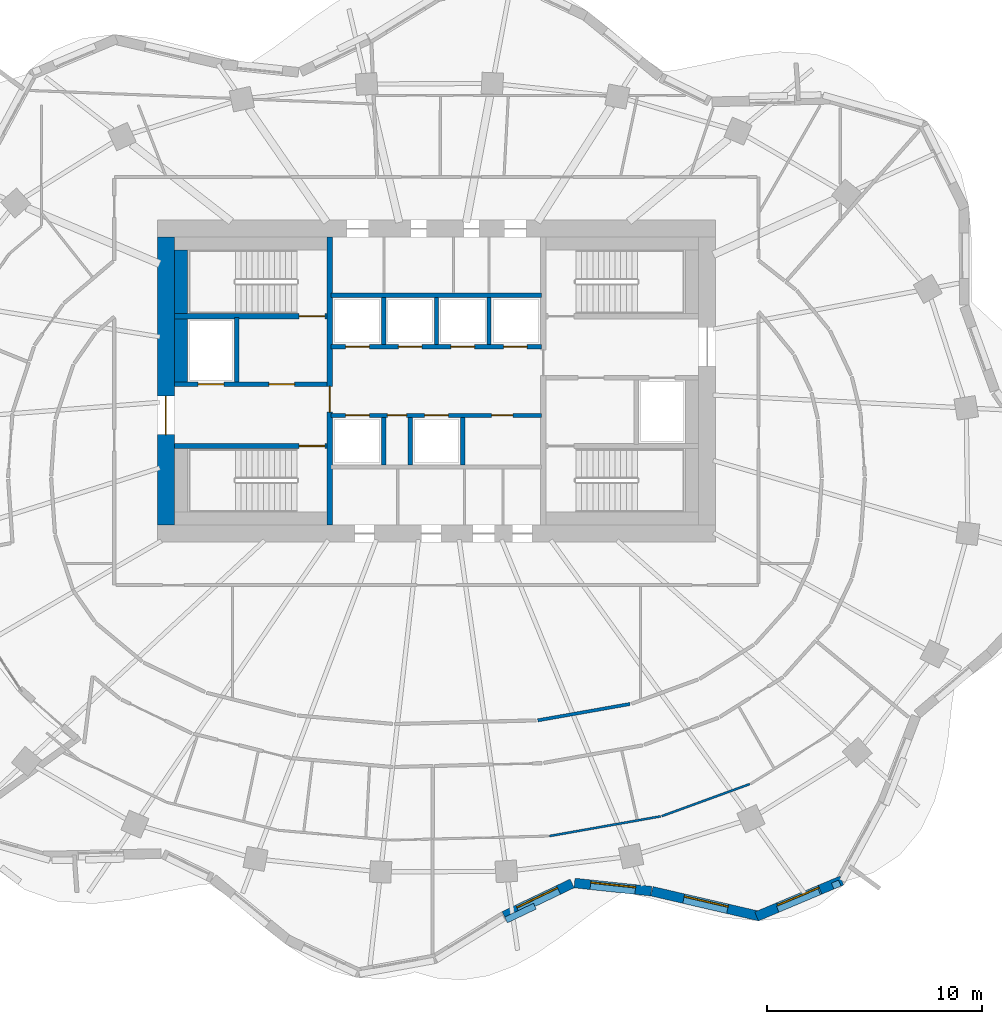
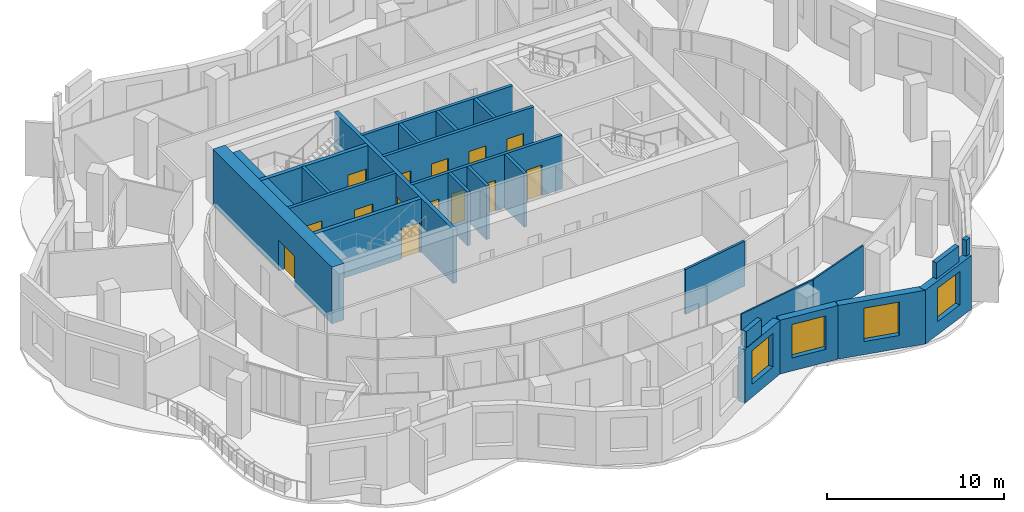
# One storey, part 7 of 13: 27 walls, 14 doors, 4 windows, 18 openings.
"""IFC4 building model written with IfcOpenShell, lengths in metres."""

from ifc_helpers import new_model, si_unit, direction, frame, frame_2d, origin, place, context, subcontext, project, spatial, rectangle, extrude, material, layer, layer_set, type_object, element, fill, save


model = new_model("IFC4")

# Units and contexts
model_context = context("Model", 3, precision=1e-05, world=origin(), true_north=direction((0.0, 1.0)))
body_context = subcontext(model_context, "Body", "Model", "MODEL_VIEW")
ifc_project = project(units=[si_unit("LENGTHUNIT", "METRE"), si_unit("AREAUNIT", "SQUARE_METRE"), si_unit("VOLUMEUNIT", "CUBIC_METRE"), si_unit("PLANEANGLEUNIT", "RADIAN"), si_unit("MASSUNIT", "GRAM", prefix="KILO")], contexts=[model_context])

# Site, building, storey
site_placement = place(None, origin())
site = spatial("IfcSite", under=ifc_project, at=site_placement, CompositionType="ELEMENT")
building_placement = place(site_placement, origin())
building = spatial("IfcBuilding", under=site, at=building_placement, Name="Rubra Terraces Tower", CompositionType="ELEMENT")
storey_placement = place(building_placement, frame((0.0, 0.0, 233.10009765625)))
storey = spatial("IfcBuildingStorey", under=building, at=storey_placement, Name="L57", CompositionType="ELEMENT", Elevation=233.10009765625)

# Wall, opening, window
ifc_material_1 = material(Name="Brick masonry red-brown", Category="masonry")
ifc_layer_1 = layer(ifc_material_1, 0.449951171875)
ifc_layer_set_1 = layer_set([ifc_layer_1], Name="Brick masonry red-brown")
wall_type_1 = type_object("IfcWallType", Name="Brick facade wall 450", PredefinedType="SOLIDWALL", material=ifc_layer_set_1)
wall_1_placement = place(storey_placement, frame((3.153564453125, -20.406005859375, 0.0), z_axis=(0.0, 0.0, 1.0), x_axis=(0.902333313, 0.431038968367, 0.0)))
wall_1 = element("IfcWall", 1, at=wall_1_placement, inside=storey, type_object=wall_type_1, Name="Facade wall L57 bay 32", PredefinedType="SOLIDWALL", context=body_context, shape_type="SweptSolid", body=[
    extrude(rectangle(XDim=3.50537109375, YDim=0.449951171875, at=frame_2d((1.752685546875, 0.0))), origin(), (0.0, 0.0, 1.0), 3.699951171875),
])
opening_1_placement = place(wall_1_placement, frame((0.702880859375, 0.0, 0.89990234375)))
opening_1 = element("IfcOpeningElement", 2, at=opening_1_placement, cuts=wall_1, Name="Opening W1B", PredefinedType="OPENING", context=body_context, shape_type="SweptSolid", body=[
    extrude(rectangle(XDim=2.10009765625, YDim=2.300048828125, at=frame_2d((1.050048828125, 1.14990234375))), frame((0.0, 0.23486328125, 0.0), z_axis=(0.0, -1.0, 0.0), x_axis=(1.0, 0.0, 0.0)), (0.0, 0.0, 1.0), 0.469970703125),
])
ifc_material_2 = material(Name="Clear glass in aluminium frame", Category="aluminium")
window_type = type_object("IfcWindowType", Name="Fixed deep-set window tall storey 2100 x 2300", PartitioningType="SINGLE_PANEL", PredefinedType="WINDOW", material=ifc_material_2)
window_1_placement = place(opening_1_placement, origin())
window_1 = element("IfcWindow", 3, at=window_1_placement, inside=storey, type_object=window_type, Name="Window L57 bay 32", OverallHeight=2.300048828125, OverallWidth=2.10009765625, PartitioningType="SINGLE_PANEL", PredefinedType="WINDOW", context=body_context, shape_type="SweptSolid", body=[
    extrude(rectangle(XDim=2.10009765625, YDim=2.300048828125, at=frame_2d((1.050048828125, 1.14990234375))), frame((0.0, 0.135009765625, 0.0), z_axis=(0.0, -1.0, 0.0), x_axis=(1.0, 0.0, 0.0)), (0.0, 0.0, 1.0), 0.06005859375),
])
fill(opening_1, window_1)

wall_2_placement = place(storey_placement, frame((6.4267578125, -18.875244140625, 0.0), z_axis=(0.0, 0.0, 1.0), x_axis=(0.994433468803, -0.10536638992, 0.0)))
wall_2 = element("IfcWall", 4, at=wall_2_placement, inside=storey, type_object=wall_type_1, Name="Facade wall L57 bay 33", PredefinedType="SOLIDWALL", context=body_context, shape_type="SweptSolid", body=[
    extrude(rectangle(XDim=3.598388671875, YDim=0.449951171875, at=frame_2d((1.79931640625, 0.0))), origin(), (0.0, 0.0, 1.0), 3.699951171875),
])
opening_2_placement = place(wall_2_placement, frame((0.749267578125, 0.0, 0.89990234375)))
opening_2 = element("IfcOpeningElement", 5, at=opening_2_placement, cuts=wall_2, Name="Opening W1B", PredefinedType="OPENING", context=body_context, shape_type="SweptSolid", body=[
    extrude(rectangle(XDim=2.10009765625, YDim=2.300048828125, at=frame_2d((1.050048828125, 1.14990234375))), frame((0.0, 0.23486328125, 0.0), z_axis=(0.0, -1.0, 0.0), x_axis=(1.0, 0.0, 0.0)), (0.0, 0.0, 1.0), 0.469970703125),
])
window_2_placement = place(opening_2_placement, origin())
window_2 = element("IfcWindow", 6, at=window_2_placement, inside=storey, type_object=window_type, Name="Window L57 bay 33", OverallHeight=2.300048828125, OverallWidth=2.10009765625, PartitioningType="SINGLE_PANEL", PredefinedType="WINDOW", context=body_context, shape_type="SweptSolid", body=[
    extrude(rectangle(XDim=2.10009765625, YDim=2.300048828125, at=frame_2d((1.050048828125, 1.14990234375))), frame((0.0, 0.135009765625, 0.0), z_axis=(0.0, -1.0, 0.0), x_axis=(1.0, 0.0, 0.0)), (0.0, 0.0, 1.0), 0.06005859375),
])
fill(opening_2, window_2)

wall_3_placement = place(storey_placement, frame((10.0341796875, -19.258544921875, 0.0), z_axis=(0.0, 0.0, 1.0), x_axis=(0.974223567844, -0.225584662283, 0.0)))
wall_3 = element("IfcWall", 7, at=wall_3_placement, inside=storey, type_object=wall_type_1, Name="Facade wall L57 bay 34", PredefinedType="SOLIDWALL", context=body_context, shape_type="SweptSolid", body=[
    extrude(rectangle(XDim=5.138671875, YDim=0.449951171875, at=frame_2d((2.5693359375, 0.0))), origin(), (0.0, 0.0, 1.0), 3.699951171875),
])
opening_3_placement = place(wall_3_placement, frame((1.51904296875, 0.0, 0.89990234375)))
opening_3 = element("IfcOpeningElement", 8, at=opening_3_placement, cuts=wall_3, Name="Opening W1B", PredefinedType="OPENING", context=body_context, shape_type="SweptSolid", body=[
    extrude(rectangle(XDim=2.10009765625, YDim=2.300048828125, at=frame_2d((1.050048828125, 1.14990234375))), frame((0.0, 0.23486328125, 0.0), z_axis=(0.0, -1.0, 0.0), x_axis=(1.0, 0.0, 0.0)), (0.0, 0.0, 1.0), 0.469970703125),
])
window_3_placement = place(opening_3_placement, origin())
window_3 = element("IfcWindow", 9, at=window_3_placement, inside=storey, type_object=window_type, Name="Window L57 bay 34", OverallHeight=2.300048828125, OverallWidth=2.10009765625, PartitioningType="SINGLE_PANEL", PredefinedType="WINDOW", context=body_context, shape_type="SweptSolid", body=[
    extrude(rectangle(XDim=2.10009765625, YDim=2.300048828125, at=frame_2d((1.050048828125, 1.14990234375))), frame((0.0, 0.135009765625, 0.0), z_axis=(0.0, -1.0, 0.0), x_axis=(1.0, 0.0, 0.0)), (0.0, 0.0, 1.0), 0.06005859375),
])
fill(opening_3, window_3)

wall_4_placement = place(storey_placement, frame((14.906494140625, -20.4306640625, 0.0), z_axis=(0.0, 0.0, 1.0), x_axis=(0.921435803521, 0.388530642279, 0.0)))
wall_4 = element("IfcWall", 10, at=wall_4_placement, inside=storey, type_object=wall_type_1, Name="Facade wall L57 bay 35", PredefinedType="SOLIDWALL", context=body_context, shape_type="SweptSolid", body=[
    extrude(rectangle(XDim=4.308837890625, YDim=0.449951171875, at=frame_2d((2.154296875, 0.0))), origin(), (0.0, 0.0, 1.0), 3.699951171875),
])
opening_4_placement = place(wall_4_placement, frame((1.104248046875, 0.0, 0.89990234375)))
opening_4 = element("IfcOpeningElement", 11, at=opening_4_placement, cuts=wall_4, Name="Opening W1B", PredefinedType="OPENING", context=body_context, shape_type="SweptSolid", body=[
    extrude(rectangle(XDim=2.10009765625, YDim=2.300048828125, at=frame_2d((1.050048828125, 1.14990234375))), frame((0.0, 0.23486328125, 0.0), z_axis=(0.0, -1.0, 0.0), x_axis=(1.0, 0.0, 0.0)), (0.0, 0.0, 1.0), 0.469970703125),
])
window_4_placement = place(opening_4_placement, origin())
window_4 = element("IfcWindow", 12, at=window_4_placement, inside=storey, type_object=window_type, Name="Window L57 bay 35", OverallHeight=2.300048828125, OverallWidth=2.10009765625, PartitioningType="SINGLE_PANEL", PredefinedType="WINDOW", context=body_context, shape_type="SweptSolid", body=[
    extrude(rectangle(XDim=2.10009765625, YDim=2.300048828125, at=frame_2d((1.050048828125, 1.14990234375))), frame((0.0, 0.135009765625, 0.0), z_axis=(0.0, -1.0, 0.0), x_axis=(1.0, 0.0, 0.0)), (0.0, 0.0, 1.0), 0.06005859375),
])
fill(opening_4, window_4)

# Walls
ifc_layer_2 = layer(ifc_material_1, 0.300048828125)
ifc_layer_set_2 = layer_set([ifc_layer_2], Name="Brick masonry red-brown")
wall_type_2 = type_object("IfcWallType", Name="Brick parapet 300", PredefinedType="PARAPET", material=ifc_layer_set_2)
wall_5_placement = place(storey_placement, frame((3.2392578125, -20.594482421875, 3.89990234375), z_axis=(0.0, 0.0, 1.0), x_axis=(0.902344893923, 0.431014724123, 0.0)))
element("IfcWall", 13, at=wall_5_placement, inside=storey, type_object=wall_type_2, Name="Parapet L57 bay 32", PredefinedType="PARAPET", context=body_context, shape_type="SweptSolid", body=[
    extrude(rectangle(XDim=1.48974609375, YDim=0.300048828125, at=frame_2d((0.744873046875, 0.0))), origin(), (0.0, 0.0, 1.0), 1.10009765625),
])
wall_6_placement = place(storey_placement, frame((15.890869140625, -20.096923828125, 3.89990234375), z_axis=(0.0, 0.0, 1.0), x_axis=(0.921468908678, 0.388452121038, 0.0)))
element("IfcWall", 14, at=wall_6_placement, inside=storey, type_object=wall_type_2, Name="Parapet L57 bay 35", PredefinedType="PARAPET", context=body_context, shape_type="SweptSolid", body=[
    extrude(rectangle(XDim=2.09912109375, YDim=0.300048828125, at=frame_2d((1.049560546875, 0.0))), origin(), (0.0, 0.0, 1.0), 1.10009765625),
])
wall_7_placement = place(storey_placement, frame((18.4462890625, -19.01953125, 3.89990234375), z_axis=(0.0, 0.0, 1.0), x_axis=(0.921356634102, 0.388718346358, 0.0)))
element("IfcWall", 15, at=wall_7_placement, inside=storey, type_object=wall_type_2, Name="Parapet L57 bay 35.2", PredefinedType="PARAPET", context=body_context, shape_type="SweptSolid", body=[
    extrude(rectangle(XDim=0.363037109375, YDim=0.300048828125, at=frame_2d((0.181640625, 0.0))), origin(), (0.0, 0.0, 1.0), 1.10009765625),
])

# Wall, opening, door
ifc_material_3 = material(Name="Concrete C50", Category="concrete")
ifc_layer_3 = layer(ifc_material_3, 0.800048828125)
ifc_layer_set_3 = layer_set([ifc_layer_3], Name="Concrete C50")
wall_type_3 = type_object("IfcWallType", Name="CORE WALL 800 C50", PredefinedType="SHEAR", material=ifc_layer_set_3)
wall_8_placement = place(storey_placement, frame((-12.60009765625, -2.199951171875, 0.0), z_axis=(0.0, 0.0, 1.0), x_axis=(0.0, 1.0, 0.0)))
wall_8 = element("IfcWall", 16, at=wall_8_placement, inside=storey, type_object=wall_type_3, Name="CORE WALL W L57", PredefinedType="SHEAR", context=body_context, shape_type="SweptSolid", body=[
    extrude(rectangle(XDim=13.39990234375, YDim=0.800048828125, at=frame_2d((6.699951171875, 0.0))), origin(), (0.0, 0.0, 1.0), 3.89990234375),
])
opening_5_placement = place(wall_8_placement, frame((4.199951171875, 0.0, 0.0)))
opening_5 = element("IfcOpeningElement", 17, at=opening_5_placement, cuts=wall_8, Name="Opening L57.C01", PredefinedType="OPENING", context=body_context, shape_type="SweptSolid", body=[
    extrude(rectangle(XDim=1.800048828125, YDim=2.10009765625, at=frame_2d((0.89990234375, 1.050048828125))), frame((0.0, 0.409912109375, 0.0), z_axis=(0.0, -1.0, 0.0), x_axis=(1.0, 0.0, 0.0)), (0.0, 0.0, 1.0), 0.820068359375),
])
ifc_material_4 = material(Name="Painted steel", Category="steel")
door_type_1 = type_object("IfcDoorType", Name="Fire door 1800x2100 double", OperationType="NOTDEFINED", PredefinedType="DOOR", material=ifc_material_4)
door_1_placement = place(opening_5_placement, origin())
door_1 = element("IfcDoor", 18, at=door_1_placement, inside=storey, type_object=door_type_1, Name="Core entrance door FF1", OperationType="DOUBLE_DOOR_SINGLE_SWING", OverallHeight=2.10009765625, OverallWidth=1.800048828125, PredefinedType="DOOR", context=body_context, shape_type="SweptSolid", body=[
    extrude(rectangle(XDim=1.800048828125, YDim=2.10009765625, at=frame_2d((0.89990234375, 1.050048828125))), frame((0.0, 0.02490234375, 0.0), z_axis=(0.0, -1.0, 0.0), x_axis=(1.0, 0.0, 0.0)), (0.0, 0.0, 1.0), 0.050048828125),
])
fill(opening_5, door_1)

# Walls
ifc_material_5 = material(Name="Plasterboard on steel stud, mineral wool infill", Category="steel")
ifc_layer_4 = layer(ifc_material_5, 0.14990234375)
ifc_layer_set_4 = layer_set([ifc_layer_4], Name="Plasterboard on steel stud, mineral wool infill")
wall_type_4 = type_object("IfcWallType", Name="CORRIDOR PARTITION 150", PredefinedType="PARTITIONING", material=ifc_layer_set_4)
wall_9_placement = place(storey_placement, frame((9.010498046875, -10.5380859375, 0.0), z_axis=(0.0, 0.0, 1.0), x_axis=(-0.984645638575, -0.174565077936, 0.0)))
element("IfcWall", 19, at=wall_9_placement, inside=storey, type_object=wall_type_4, Name="PARTITION", PredefinedType="PARTITIONING", context=body_context, shape_type="SweptSolid", body=[
    extrude(rectangle(XDim=4.35791015625, YDim=0.14990234375, at=frame_2d((2.178955078125, 0.0))), origin(), (0.0, 0.0, 1.0), 3.083984375),
])
ifc_material_6 = material(Name="Concrete C40", Category="concrete")
ifc_layer_5 = layer(ifc_material_6, 0.60009765625)
ifc_layer_set_5 = layer_set([ifc_layer_5], Name="Concrete C40")
wall_type_5 = type_object("IfcWallType", Name="Core lining wall 600 concrete", PredefinedType="SOLIDWALL", material=ifc_layer_set_5)
wall_10_placement = place(storey_placement, frame((-11.89990234375, 4.449951171875, 0.0), z_axis=(0.0, 0.0, 1.0), x_axis=(0.0, 1.0, 0.0)))
element("IfcWall", 20, at=wall_10_placement, inside=storey, type_object=wall_type_5, Name="CORE LINING WALL L57", PredefinedType="SOLIDWALL", context=body_context, shape_type="SweptSolid", body=[
    extrude(rectangle(XDim=3.0, YDim=0.60009765625, at=frame_2d((1.5, 0.0))), origin(), (0.0, 0.0, 1.0), 3.699951171875),
])
wall_11_placement = place(storey_placement, frame((-11.89990234375, 7.64990234375, 0.0), z_axis=(0.0, 0.0, 1.0), x_axis=(0.0, 1.0, 0.0)))
element("IfcWall", 21, at=wall_11_placement, inside=storey, type_object=wall_type_5, Name="CORE LINING WALL L57", PredefinedType="SOLIDWALL", context=body_context, shape_type="SweptSolid", body=[
    extrude(rectangle(XDim=2.9501953125, YDim=0.60009765625, at=frame_2d((1.47509765625, 0.0))), origin(), (0.0, 0.0, 1.0), 3.699951171875),
])

# Wall, openings, doors
ifc_material_7 = material(Name="Concrete C30", Category="concrete")
ifc_layer_6 = layer(ifc_material_7, 0.199951171875)
ifc_layer_set_6 = layer_set([ifc_layer_6], Name="Concrete C30")
wall_type_6 = type_object("IfcWallType", Name="Core wall 200 concrete", PredefinedType="SOLIDWALL", material=ifc_layer_set_6)
wall_12_placement = place(storey_placement, frame((-12.199951171875, 4.35009765625, 0.0), z_axis=(0.0, 0.0, 1.0), x_axis=(1.0, 0.0, 0.0)))
wall_12 = element("IfcWall", 22, at=wall_12_placement, inside=storey, type_object=wall_type_6, Name="STAIR WALL L57", PredefinedType="SOLIDWALL", context=body_context, shape_type="SweptSolid", body=[
    extrude(rectangle(XDim=7.099853515625, YDim=0.199951171875, at=frame_2d((3.5498046875, 0.0))), origin(), (0.0, 0.0, 1.0), 3.699951171875),
])
opening_6_placement = place(wall_12_placement, frame((4.39990234375, 0.0, 0.0)))
opening_6 = element("IfcOpeningElement", 23, at=opening_6_placement, cuts=wall_12, Name="Opening L57.C05", PredefinedType="OPENING", context=body_context, shape_type="SweptSolid", body=[
    extrude(rectangle(XDim=1.199951171875, YDim=2.10009765625, at=frame_2d((0.60009765625, 1.050048828125))), frame((0.0, 0.10986328125, 0.0), z_axis=(0.0, -1.0, 0.0), x_axis=(1.0, 0.0, 0.0)), (0.0, 0.0, 1.0), 0.219970703125),
])
opening_7_placement = place(wall_12_placement, frame((1.10009765625, 0.0, 0.0)))
opening_7 = element("IfcOpeningElement", 24, at=opening_7_placement, cuts=wall_12, Name="Opening L57.C11", PredefinedType="OPENING", context=body_context, shape_type="SweptSolid", body=[
    extrude(rectangle(XDim=1.199951171875, YDim=2.10009765625, at=frame_2d((0.60009765625, 1.050048828125))), frame((0.0, 0.10986328125, 0.0), z_axis=(0.0, -1.0, 0.0), x_axis=(1.0, 0.0, 0.0)), (0.0, 0.0, 1.0), 0.219970703125),
])
door_type_2 = type_object("IfcDoorType", Name="Fire door 1200x2100 single", OperationType="NOTDEFINED", PredefinedType="DOOR", material=ifc_material_4)
door_2_placement = place(opening_6_placement, origin())
door_2 = element("IfcDoor", 25, at=door_2_placement, inside=storey, type_object=door_type_2, Name="Stair vestibule door S2", OperationType="SINGLE_SWING_LEFT", OverallHeight=2.10009765625, OverallWidth=1.199951171875, PredefinedType="DOOR", context=body_context, shape_type="SweptSolid", body=[
    extrude(rectangle(XDim=1.199951171875, YDim=2.10009765625, at=frame_2d((0.60009765625, 1.050048828125))), frame((0.0, 0.02490234375, 0.0), z_axis=(0.0, -1.0, 0.0), x_axis=(1.0, 0.0, 0.0)), (0.0, 0.0, 1.0), 0.050048828125),
])
fill(opening_6, door_2)
ifc_material_8 = material(Name="Stainless steel", Category="steel")
door_type_3 = type_object("IfcDoorType", Name="Lift landing door 1200x2100", OperationType="NOTDEFINED", PredefinedType="DOOR", material=ifc_material_8)
door_3_placement = place(opening_7_placement, origin())
door_3 = element("IfcDoor", 26, at=door_3_placement, inside=storey, type_object=door_type_3, Name="Landing door FF1", OperationType="SLIDING_TO_RIGHT", OverallHeight=2.10009765625, OverallWidth=1.199951171875, PredefinedType="DOOR", context=body_context, shape_type="SweptSolid", body=[
    extrude(rectangle(XDim=1.199951171875, YDim=2.10009765625, at=frame_2d((0.60009765625, 1.050048828125))), frame((0.0, 0.02490234375, 0.0), z_axis=(0.0, -1.0, 0.0), x_axis=(1.0, 0.0, 0.0)), (0.0, 0.0, 1.0), 0.050048828125),
])
fill(opening_7, door_3)

# Wall
wall_13_placement = place(storey_placement, frame((-9.300048828125, 4.449951171875, 0.0), z_axis=(0.0, 0.0, 1.0), x_axis=(0.0, 1.0, 0.0)))
element("IfcWall", 27, at=wall_13_placement, inside=storey, type_object=wall_type_6, Name="STAIR WALL L57", PredefinedType="SOLIDWALL", context=body_context, shape_type="SweptSolid", body=[
    extrude(rectangle(XDim=3.0, YDim=0.199951171875, at=frame_2d((1.5, 0.0))), origin(), (0.0, 0.0, 1.0), 3.699951171875),
])

# Wall, openings, doors
wall_14_placement = place(storey_placement, frame((-4.89990234375, 2.89990234375, 0.0), z_axis=(0.0, 0.0, 1.0), x_axis=(1.0, 0.0, 0.0)))
wall_14 = element("IfcWall", 28, at=wall_14_placement, inside=storey, type_object=wall_type_6, Name="LIFT SHAFT WALL L57", PredefinedType="SOLIDWALL", context=body_context, shape_type="SweptSolid", body=[
    extrude(rectangle(XDim=9.7998046875, YDim=0.199951171875, at=frame_2d((4.89990234375, 0.0))), origin(), (0.0, 0.0, 1.0), 3.699951171875),
])
opening_8_placement = place(wall_14_placement, frame((0.675048828125, 0.0, 0.0)))
opening_8 = element("IfcOpeningElement", 29, at=opening_8_placement, cuts=wall_14, Name="Opening L57.C13", PredefinedType="OPENING", context=body_context, shape_type="SweptSolid", body=[
    extrude(rectangle(XDim=1.10009765625, YDim=2.10009765625, at=frame_2d((0.550048828125, 1.050048828125))), frame((0.0, 0.10986328125, 0.0), z_axis=(0.0, -1.0, 0.0), x_axis=(1.0, 0.0, 0.0)), (0.0, 0.0, 1.0), 0.219970703125),
])
opening_9_placement = place(wall_14_placement, frame((2.613037109375, 0.0, 0.0)))
opening_9 = element("IfcOpeningElement", 30, at=opening_9_placement, cuts=wall_14, Name="Opening L57.C14", PredefinedType="OPENING", context=body_context, shape_type="SweptSolid", body=[
    extrude(rectangle(XDim=0.89990234375, YDim=2.10009765625, at=frame_2d((0.449951171875, 1.050048828125))), frame((0.0, 0.10986328125, 0.0), z_axis=(0.0, -1.0, 0.0), x_axis=(1.0, 0.0, 0.0)), (0.0, 0.0, 1.0), 0.219970703125),
])
opening_10_placement = place(wall_14_placement, frame((4.35009765625, 0.0, 0.0)))
opening_10 = element("IfcOpeningElement", 31, at=opening_10_placement, cuts=wall_14, Name="Opening L57.C15", PredefinedType="OPENING", context=body_context, shape_type="SweptSolid", body=[
    extrude(rectangle(XDim=1.10009765625, YDim=2.10009765625, at=frame_2d((0.550048828125, 1.050048828125))), frame((0.0, 0.10986328125, 0.0), z_axis=(0.0, -1.0, 0.0), x_axis=(1.0, 0.0, 0.0)), (0.0, 0.0, 1.0), 0.219970703125),
])
opening_11_placement = place(wall_14_placement, frame((7.462890625, 0.0, 0.0)))
opening_11 = element("IfcOpeningElement", 32, at=opening_11_placement, cuts=wall_14, Name="Opening L57.C16", PredefinedType="OPENING", context=body_context, shape_type="SweptSolid", body=[
    extrude(rectangle(XDim=1.0, YDim=2.10009765625, at=frame_2d((0.5, 1.050048828125))), frame((0.0, 0.10986328125, 0.0), z_axis=(0.0, -1.0, 0.0), x_axis=(1.0, 0.0, 0.0)), (0.0, 0.0, 1.0), 0.219970703125),
])
door_type_4 = type_object("IfcDoorType", Name="Fire door 1000x2100 single", OperationType="NOTDEFINED", PredefinedType="DOOR", material=ifc_material_4)
door_4_placement = place(opening_11_placement, origin())
door_4 = element("IfcDoor", 33, at=door_4_placement, inside=storey, type_object=door_type_4, Name="Security and building control room door", OperationType="SINGLE_SWING_RIGHT", OverallHeight=2.10009765625, OverallWidth=1.0, PredefinedType="DOOR", context=body_context, shape_type="SweptSolid", body=[
    extrude(rectangle(XDim=1.0, YDim=2.10009765625, at=frame_2d((0.5, 1.050048828125))), frame((0.0, 0.02490234375, 0.0), z_axis=(0.0, -1.0, 0.0), x_axis=(1.0, 0.0, 0.0)), (0.0, 0.0, 1.0), 0.050048828125),
])
fill(opening_11, door_4)
door_type_5 = type_object("IfcDoorType", Name="Fire door 900x2100 single", OperationType="NOTDEFINED", PredefinedType="DOOR", material=ifc_material_4)
door_5_placement = place(opening_9_placement, origin())
door_5 = element("IfcDoor", 34, at=door_5_placement, inside=storey, type_object=door_type_5, Name="Cleaner's store door", OperationType="SINGLE_SWING_RIGHT", OverallHeight=2.10009765625, OverallWidth=0.89990234375, PredefinedType="DOOR", context=body_context, shape_type="SweptSolid", body=[
    extrude(rectangle(XDim=0.89990234375, YDim=2.10009765625, at=frame_2d((0.449951171875, 1.050048828125))), frame((0.0, 0.02490234375, 0.0), z_axis=(0.0, -1.0, 0.0), x_axis=(1.0, 0.0, 0.0)), (0.0, 0.0, 1.0), 0.050048828125),
])
fill(opening_9, door_5)
door_type_6 = type_object("IfcDoorType", Name="Lift landing door 1100x2100", OperationType="NOTDEFINED", PredefinedType="DOOR", material=ifc_material_8)
door_6_placement = place(opening_8_placement, origin())
door_6 = element("IfcDoor", 35, at=door_6_placement, inside=storey, type_object=door_type_6, Name="Landing door HB1", OperationType="SLIDING_TO_RIGHT", OverallHeight=2.10009765625, OverallWidth=1.10009765625, PredefinedType="DOOR", context=body_context, shape_type="SweptSolid", body=[
    extrude(rectangle(XDim=1.10009765625, YDim=2.10009765625, at=frame_2d((0.550048828125, 1.050048828125))), frame((0.0, 0.02490234375, 0.0), z_axis=(0.0, -1.0, 0.0), x_axis=(1.0, 0.0, 0.0)), (0.0, 0.0, 1.0), 0.050048828125),
])
fill(opening_8, door_6)
door_7_placement = place(opening_10_placement, origin())
door_7 = element("IfcDoor", 36, at=door_7_placement, inside=storey, type_object=door_type_6, Name="Landing door HB2", OperationType="SLIDING_TO_LEFT", OverallHeight=2.10009765625, OverallWidth=1.10009765625, PredefinedType="DOOR", context=body_context, shape_type="SweptSolid", body=[
    extrude(rectangle(XDim=1.10009765625, YDim=2.10009765625, at=frame_2d((0.550048828125, 1.050048828125))), frame((0.0, 0.02490234375, 0.0), z_axis=(0.0, -1.0, 0.0), x_axis=(1.0, 0.0, 0.0)), (0.0, 0.0, 1.0), 0.050048828125),
])
fill(opening_10, door_7)

wall_15_placement = place(storey_placement, frame((-4.89990234375, 6.10009765625, 0.0), z_axis=(0.0, 0.0, 1.0), x_axis=(1.0, 0.0, 0.0)))
wall_15 = element("IfcWall", 37, at=wall_15_placement, inside=storey, type_object=wall_type_6, Name="LIFT SHAFT WALL L57", PredefinedType="SOLIDWALL", context=body_context, shape_type="SweptSolid", body=[
    extrude(rectangle(XDim=9.7998046875, YDim=0.199951171875, at=frame_2d((4.89990234375, 0.0))), origin(), (0.0, 0.0, 1.0), 3.699951171875),
])
opening_12_placement = place(wall_15_placement, frame((0.675048828125, 0.0, 0.0)))
opening_12 = element("IfcOpeningElement", 38, at=opening_12_placement, cuts=wall_15, Name="Opening L57.C17", PredefinedType="OPENING", context=body_context, shape_type="SweptSolid", body=[
    extrude(rectangle(XDim=1.10009765625, YDim=2.10009765625, at=frame_2d((0.550048828125, 1.050048828125))), frame((0.0, 0.10986328125, 0.0), z_axis=(0.0, -1.0, 0.0), x_axis=(1.0, 0.0, 0.0)), (0.0, 0.0, 1.0), 0.219970703125),
])
opening_13_placement = place(wall_15_placement, frame((3.125, 0.0, 0.0)))
opening_13 = element("IfcOpeningElement", 39, at=opening_13_placement, cuts=wall_15, Name="Opening L57.C18", PredefinedType="OPENING", context=body_context, shape_type="SweptSolid", body=[
    extrude(rectangle(XDim=1.10009765625, YDim=2.10009765625, at=frame_2d((0.550048828125, 1.050048828125))), frame((0.0, 0.10986328125, 0.0), z_axis=(0.0, -1.0, 0.0), x_axis=(1.0, 0.0, 0.0)), (0.0, 0.0, 1.0), 0.219970703125),
])
opening_14_placement = place(wall_15_placement, frame((5.574951171875, 0.0, 0.0)))
opening_14 = element("IfcOpeningElement", 40, at=opening_14_placement, cuts=wall_15, Name="Opening L57.C19", PredefinedType="OPENING", context=body_context, shape_type="SweptSolid", body=[
    extrude(rectangle(XDim=1.10009765625, YDim=2.10009765625, at=frame_2d((0.550048828125, 1.050048828125))), frame((0.0, 0.10986328125, 0.0), z_axis=(0.0, -1.0, 0.0), x_axis=(1.0, 0.0, 0.0)), (0.0, 0.0, 1.0), 0.219970703125),
])
opening_15_placement = place(wall_15_placement, frame((8.02490234375, 0.0, 0.0)))
opening_15 = element("IfcOpeningElement", 41, at=opening_15_placement, cuts=wall_15, Name="Opening L57.C20", PredefinedType="OPENING", context=body_context, shape_type="SweptSolid", body=[
    extrude(rectangle(XDim=1.10009765625, YDim=2.10009765625, at=frame_2d((0.550048828125, 1.050048828125))), frame((0.0, 0.10986328125, 0.0), z_axis=(0.0, -1.0, 0.0), x_axis=(1.0, 0.0, 0.0)), (0.0, 0.0, 1.0), 0.219970703125),
])
door_8_placement = place(opening_12_placement, origin())
door_8 = element("IfcDoor", 42, at=door_8_placement, inside=storey, type_object=door_type_6, Name="Landing door HB3", OperationType="SLIDING_TO_RIGHT", OverallHeight=2.10009765625, OverallWidth=1.10009765625, PredefinedType="DOOR", context=body_context, shape_type="SweptSolid", body=[
    extrude(rectangle(XDim=1.10009765625, YDim=2.10009765625, at=frame_2d((0.550048828125, 1.050048828125))), frame((0.0, 0.02490234375, 0.0), z_axis=(0.0, -1.0, 0.0), x_axis=(1.0, 0.0, 0.0)), (0.0, 0.0, 1.0), 0.050048828125),
])
fill(opening_12, door_8)
door_9_placement = place(opening_13_placement, origin())
door_9 = element("IfcDoor", 43, at=door_9_placement, inside=storey, type_object=door_type_6, Name="Landing door HB4", OperationType="SLIDING_TO_LEFT", OverallHeight=2.10009765625, OverallWidth=1.10009765625, PredefinedType="DOOR", context=body_context, shape_type="SweptSolid", body=[
    extrude(rectangle(XDim=1.10009765625, YDim=2.10009765625, at=frame_2d((0.550048828125, 1.050048828125))), frame((0.0, 0.02490234375, 0.0), z_axis=(0.0, -1.0, 0.0), x_axis=(1.0, 0.0, 0.0)), (0.0, 0.0, 1.0), 0.050048828125),
])
fill(opening_13, door_9)
door_10_placement = place(opening_14_placement, origin())
door_10 = element("IfcDoor", 44, at=door_10_placement, inside=storey, type_object=door_type_6, Name="Landing door HB5", OperationType="SLIDING_TO_RIGHT", OverallHeight=2.10009765625, OverallWidth=1.10009765625, PredefinedType="DOOR", context=body_context, shape_type="SweptSolid", body=[
    extrude(rectangle(XDim=1.10009765625, YDim=2.10009765625, at=frame_2d((0.550048828125, 1.050048828125))), frame((0.0, 0.02490234375, 0.0), z_axis=(0.0, -1.0, 0.0), x_axis=(1.0, 0.0, 0.0)), (0.0, 0.0, 1.0), 0.050048828125),
])
fill(opening_14, door_10)
door_11_placement = place(opening_15_placement, origin())
door_11 = element("IfcDoor", 45, at=door_11_placement, inside=storey, type_object=door_type_6, Name="Landing door HB6", OperationType="SLIDING_TO_LEFT", OverallHeight=2.10009765625, OverallWidth=1.10009765625, PredefinedType="DOOR", context=body_context, shape_type="SweptSolid", body=[
    extrude(rectangle(XDim=1.10009765625, YDim=2.10009765625, at=frame_2d((0.550048828125, 1.050048828125))), frame((0.0, 0.02490234375, 0.0), z_axis=(0.0, -1.0, 0.0), x_axis=(1.0, 0.0, 0.0)), (0.0, 0.0, 1.0), 0.050048828125),
])
fill(opening_15, door_11)

# Walls
wall_16_placement = place(storey_placement, frame((-4.89990234375, 8.5, 0.0), z_axis=(0.0, 0.0, 1.0), x_axis=(1.0, 0.0, 0.0)))
element("IfcWall", 46, at=wall_16_placement, inside=storey, type_object=wall_type_6, Name="LIFT SHAFT WALL L57", PredefinedType="SOLIDWALL", context=body_context, shape_type="SweptSolid", body=[
    extrude(rectangle(XDim=9.7998046875, YDim=0.199951171875, at=frame_2d((4.89990234375, 0.0))), origin(), (0.0, 0.0, 1.0), 3.699951171875),
])
for number, where, z_axis, x_axis, name in (
    (47, (-2.449951171875, 0.60009765625, 0.0), (0.0, 0.0, 1.0), (0.0, 1.0, 0.0), "LIFT SHAFT WALL L57"),
    (48, (-1.22509765625, 0.60009765625, 0.0), (0.0, 0.0, 1.0), (0.0, 1.0, 0.0), "LIFT SHAFT WALL L57"),
    (49, (1.22509765625, 0.60009765625, 0.0), (0.0, 0.0, 1.0), (0.0, 1.0, 0.0), "LIFT SHAFT WALL L57"),
    (50, (-2.449951171875, 6.199951171875, 0.0), (0.0, 0.0, 1.0), (0.0, 1.0, 0.0), "LIFT SHAFT WALL L57"),
    (51, (0.0, 6.199951171875, 0.0), (0.0, 0.0, 1.0), (0.0, 1.0, 0.0), "LIFT SHAFT WALL L57"),
    (52, (2.449951171875, 6.199951171875, 0.0), (0.0, 0.0, 1.0), (0.0, 1.0, 0.0), "LIFT SHAFT WALL L57"),
):
    element("IfcWall", number, at=place(storey_placement, frame(where, z_axis=z_axis, x_axis=x_axis)), inside=storey, type_object=wall_type_6, Name=name, PredefinedType="SOLIDWALL", context=body_context, shape_type="SweptSolid", body=[
        extrude(rectangle(XDim=2.199951171875, YDim=0.199951171875, at=frame_2d((1.10009765625, 0.0))), origin(), (0.0, 0.0, 1.0), 3.699951171875),
    ])
ifc_material_9 = material(Name="Plasterboard on steel stud", Category="steel")
ifc_layer_7 = layer(ifc_material_9, 0.10009765625)
ifc_layer_set_7 = layer_set([ifc_layer_7], Name="Plasterboard on steel stud")
wall_type_7 = type_object("IfcWallType", Name="ROOM PARTITION 100", PredefinedType="PARTITIONING", material=ifc_layer_set_7)
wall_17_placement = place(storey_placement, frame((14.590087890625, -14.2666015625, 0.0), z_axis=(0.0, 0.0, 1.0), x_axis=(-0.939623405418, -0.342210251148, 0.0)))
element("IfcWall", 53, at=wall_17_placement, inside=storey, type_object=wall_type_7, Name="PARTITION", PredefinedType="PARTITIONING", context=body_context, shape_type="SweptSolid", body=[
    extrude(rectangle(XDim=4.36328125, YDim=0.10009765625, at=frame_2d((2.181640625, 0.0))), origin(), (0.0, 0.0, 1.0), 3.083984375),
])
wall_18_placement = place(storey_placement, frame((10.441162109375, -15.7685546875, 0.0), z_axis=(0.0, 0.0, 1.0), x_axis=(-0.984642067447, -0.174585219919, 0.0)))
element("IfcWall", 54, at=wall_18_placement, inside=storey, type_object=wall_type_7, Name="PARTITION", PredefinedType="PARTITIONING", context=body_context, shape_type="SweptSolid", body=[
    extrude(rectangle(XDim=5.258056640625, YDim=0.10009765625, at=frame_2d((2.62890625, 0.0))), origin(), (0.0, 0.0, 1.0), 3.083984375),
])

# Wall, opening, door
ifc_layer_8 = layer(ifc_material_6, 0.25)
ifc_layer_set_8 = layer_set([ifc_layer_8], Name="Concrete C40")
wall_type_8 = type_object("IfcWallType", Name="Stair enclosure wall 250 concrete", PredefinedType="SOLIDWALL", material=ifc_layer_set_8)
wall_19_placement = place(storey_placement, frame((-12.199951171875, 1.47509765625, 0.0), z_axis=(0.0, 0.0, 1.0), x_axis=(1.0, 0.0, 0.0)))
wall_19 = element("IfcWall", 55, at=wall_19_placement, inside=storey, type_object=wall_type_8, Name="STAIR WALL L57", PredefinedType="SOLIDWALL", context=body_context, shape_type="SweptSolid", body=[
    extrude(rectangle(XDim=7.099853515625, YDim=0.25, at=frame_2d((3.5498046875, 0.0))), origin(), (0.0, 0.0, 1.0), 3.699951171875),
])
opening_16_placement = place(wall_19_placement, frame((5.800048828125, 0.0, 0.0)))
opening_16 = element("IfcOpeningElement", 56, at=opening_16_placement, cuts=wall_19, Name="Opening L57.C07", PredefinedType="OPENING", context=body_context, shape_type="SweptSolid", body=[
    extrude(rectangle(XDim=1.199951171875, YDim=2.10009765625, at=frame_2d((0.60009765625, 1.050048828125))), frame((0.0, 0.135009765625, 0.0), z_axis=(0.0, -1.0, 0.0), x_axis=(1.0, 0.0, 0.0)), (0.0, 0.0, 1.0), 0.27001953125),
])
door_12_placement = place(opening_16_placement, origin())
door_12 = element("IfcDoor", 57, at=door_12_placement, inside=storey, type_object=door_type_2, Name="Stair door S1", OperationType="SINGLE_SWING_LEFT", OverallHeight=2.10009765625, OverallWidth=1.199951171875, PredefinedType="DOOR", context=body_context, shape_type="SweptSolid", body=[
    extrude(rectangle(XDim=1.199951171875, YDim=2.10009765625, at=frame_2d((0.60009765625, 1.050048828125))), frame((0.0, 0.02490234375, 0.0), z_axis=(0.0, -1.0, 0.0), x_axis=(1.0, 0.0, 0.0)), (0.0, 0.0, 1.0), 0.050048828125),
])
fill(opening_16, door_12)

wall_20_placement = place(storey_placement, frame((-12.199951171875, 7.52490234375, 0.0), z_axis=(0.0, 0.0, 1.0), x_axis=(1.0, 0.0, 0.0)))
wall_20 = element("IfcWall", 58, at=wall_20_placement, inside=storey, type_object=wall_type_8, Name="STAIR WALL L57", PredefinedType="SOLIDWALL", context=body_context, shape_type="SweptSolid", body=[
    extrude(rectangle(XDim=7.099853515625, YDim=0.25, at=frame_2d((3.5498046875, 0.0))), origin(), (0.0, 0.0, 1.0), 3.699951171875),
])
opening_17_placement = place(wall_20_placement, frame((5.800048828125, 0.0, 0.0)))
opening_17 = element("IfcOpeningElement", 59, at=opening_17_placement, cuts=wall_20, Name="Opening L57.C09", PredefinedType="OPENING", context=body_context, shape_type="SweptSolid", body=[
    extrude(rectangle(XDim=1.199951171875, YDim=2.10009765625, at=frame_2d((0.60009765625, 1.050048828125))), frame((0.0, 0.135009765625, 0.0), z_axis=(0.0, -1.0, 0.0), x_axis=(1.0, 0.0, 0.0)), (0.0, 0.0, 1.0), 0.27001953125),
])
door_13_placement = place(opening_17_placement, origin())
door_13 = element("IfcDoor", 60, at=door_13_placement, inside=storey, type_object=door_type_2, Name="Stair door S2", OperationType="SINGLE_SWING_LEFT", OverallHeight=2.10009765625, OverallWidth=1.199951171875, PredefinedType="DOOR", context=body_context, shape_type="SweptSolid", body=[
    extrude(rectangle(XDim=1.199951171875, YDim=2.10009765625, at=frame_2d((0.60009765625, 1.050048828125))), frame((0.0, 0.02490234375, 0.0), z_axis=(0.0, -1.0, 0.0), x_axis=(1.0, 0.0, 0.0)), (0.0, 0.0, 1.0), 0.050048828125),
])
fill(opening_17, door_13)

wall_21_placement = place(storey_placement, frame((-4.97509765625, -2.199951171875, 0.0), z_axis=(0.0, 0.0, 1.0), x_axis=(0.0, 1.0, 0.0)))
wall_21 = element("IfcWall", 61, at=wall_21_placement, inside=storey, type_object=wall_type_8, Name="CORE LOBBY WALL L57", PredefinedType="SOLIDWALL", context=body_context, shape_type="SweptSolid", body=[
    extrude(rectangle(XDim=13.39990234375, YDim=0.25, at=frame_2d((6.699951171875, 0.0))), origin(), (0.0, 0.0, 1.0), 3.699951171875),
])
opening_18_placement = place(wall_21_placement, frame((5.25, 0.0, 0.0)))
opening_18 = element("IfcOpeningElement", 62, at=opening_18_placement, cuts=wall_21, Name="Opening L57.C03", PredefinedType="OPENING", context=body_context, shape_type="SweptSolid", body=[
    extrude(rectangle(XDim=1.199951171875, YDim=2.10009765625, at=frame_2d((0.60009765625, 1.050048828125))), frame((0.0, 0.135009765625, 0.0), z_axis=(0.0, -1.0, 0.0), x_axis=(1.0, 0.0, 0.0)), (0.0, 0.0, 1.0), 0.27001953125),
])
door_14_placement = place(opening_18_placement, origin())
door_14 = element("IfcDoor", 63, at=door_14_placement, inside=storey, type_object=door_type_2, Name="Firefighting lobby door FF1", OperationType="SINGLE_SWING_LEFT", OverallHeight=2.10009765625, OverallWidth=1.199951171875, PredefinedType="DOOR", context=body_context, shape_type="SweptSolid", body=[
    extrude(rectangle(XDim=1.199951171875, YDim=2.10009765625, at=frame_2d((0.60009765625, 1.050048828125))), frame((0.0, 0.02490234375, 0.0), z_axis=(0.0, -1.0, 0.0), x_axis=(1.0, 0.0, 0.0)), (0.0, 0.0, 1.0), 0.050048828125),
])
fill(opening_18, door_14)

save(model, "model.ifc")
